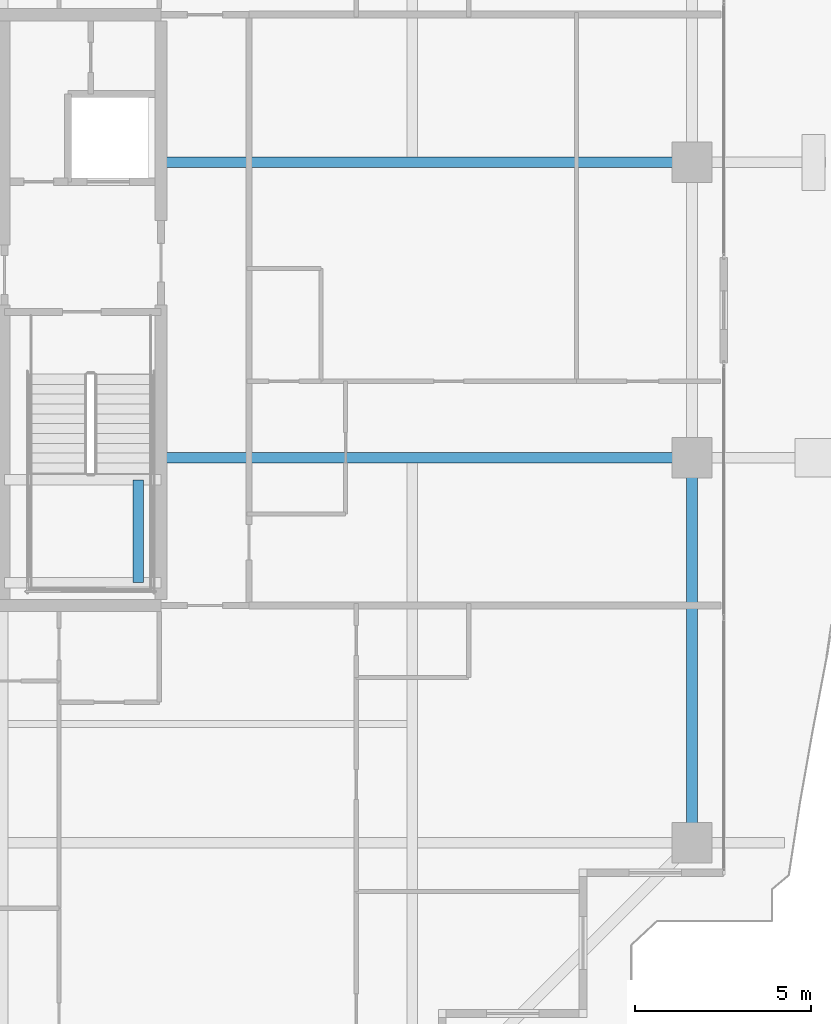
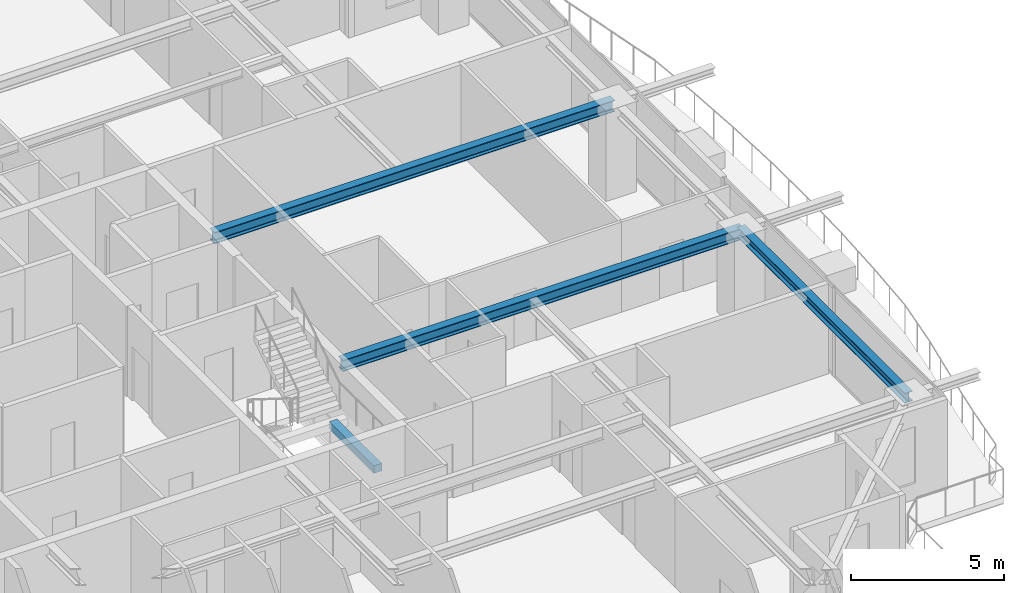
# One storey, part 14 of 37: 4 beams.
"""IFC4 building model written with IfcOpenShell, lengths in metres."""

import ifcopenshell
import ifcopenshell.guid

model = None  # the IFC model being written
_history = None  # IfcOwnerHistory: only IFC2X3 demands one
_inside = {}  # id of a spatial element -> (the spatial element, [elements in it])
_under = {}  # id of a project, library or spatial element -> (it, [spatial elements below it])
_declared = {}  # id of a project -> (the project, [libraries it declares])
_typed = {}  # id of a type object -> (the type object, [elements of that type])
_made_of = {}  # id of a material, layer set ... -> (it, [elements and type objects made of it])


def new_model(schema):
    """Start an empty IFC model of exactly this schema.

    Asked for "IFC4X3", IfcOpenShell would pick the latest addendum, in which some entities
    have other attributes; the version numbers below select the first issue.
    IFC2X3 requires an IfcOwnerHistory on every rooted entity: one is made here for all.
    """
    global model, _history
    if schema == "IFC4X3":
        model = ifcopenshell.file(schema_version=(4, 3, 0, 0))
    else:
        model = ifcopenshell.file(schema=schema)
    _inside.clear()
    _under.clear()
    _declared.clear()
    _typed.clear()
    _made_of.clear()
    _history = None
    if model.schema == "IFC2X3":
        org = make("IfcOrganization", Name="unknown")
        user = make(
            "IfcPersonAndOrganization",
            ThePerson=make("IfcPerson", FamilyName="unknown"),
            TheOrganization=org,
        )
        app = make(
            "IfcApplication",
            ApplicationDeveloper=org,
            Version="unknown",
            ApplicationFullName="unknown",
            ApplicationIdentifier="unknown",
        )
        _history = make(
            "IfcOwnerHistory",
            OwningUser=user,
            OwningApplication=app,
            ChangeAction="ADDED",
            CreationDate=0,
        )
    return model


def make(cls, **values):
    """One entity of the class cls with the attributes given. An attribute that is None is left unset."""
    return model.create_entity(
        cls, **{name: value for name, value in values.items() if value is not None}
    )


def rooted(cls, **values):
    """An entity with a GlobalId (a new one), such as an element, a storey or a relation."""
    return make(cls, GlobalId=ifcopenshell.guid.new(), OwnerHistory=_history, **values)


def si_unit(unit_type, name, prefix=None):
    """IfcSIUnit, for example si_unit("LENGTHUNIT", "METRE", prefix="MILLI")."""
    return make("IfcSIUnit", UnitType=unit_type, Prefix=prefix, Name=name)


def assignment(units):
    """IfcUnitAssignment: the units of a project."""
    return None if units is None else make("IfcUnitAssignment", Units=units)


def point(xyz):
    """IfcCartesianPoint."""
    return None if xyz is None else make("IfcCartesianPoint", Coordinates=xyz)


def direction(xyz):
    """IfcDirection."""
    return None if xyz is None else make("IfcDirection", DirectionRatios=xyz)


def frame(location, z_axis=None, x_axis=None):
    """IfcAxis2Placement3D, a coordinate frame: its origin and axes. An axis left out is left unset."""
    return make(
        "IfcAxis2Placement3D",
        Location=point(location),
        Axis=direction(z_axis),
        RefDirection=direction(x_axis),
    )


def frame_2d(location, x_axis=None):
    """IfcAxis2Placement2D, a coordinate frame in the plane: its origin and x axis."""
    return make(
        "IfcAxis2Placement2D", Location=point(location), RefDirection=direction(x_axis)
    )


def origin():
    """The frame at (0, 0, 0) with its axes left unset."""
    return frame((0.0, 0.0, 0.0))


def origin_2d():
    """The frame at (0, 0) in the plane with its x axis left unset."""
    return frame_2d((0.0, 0.0))


def place(relative_to, where):
    """IfcLocalPlacement: puts the frame where relative to a parent placement (None: the world)."""
    return make(
        "IfcLocalPlacement", PlacementRelTo=relative_to, RelativePlacement=where
    )


def context(
    kind, dimensions, precision=None, world=None, true_north=None, identifier=None
):
    """IfcGeometricRepresentationContext, for example the 3D "Model" context."""
    return make(
        "IfcGeometricRepresentationContext",
        ContextIdentifier=identifier,
        ContextType=kind,
        CoordinateSpaceDimension=dimensions,
        Precision=precision,
        WorldCoordinateSystem=world,
        TrueNorth=true_north,
    )


def subcontext(parent, identifier, kind, view, scale=None):
    """IfcGeometricRepresentationSubContext, for example "Body" below "Model"."""
    return make(
        "IfcGeometricRepresentationSubContext",
        ContextIdentifier=identifier,
        ContextType=kind,
        ParentContext=parent,
        TargetScale=scale,
        TargetView=view,
    )


def project(units=None, contexts=None):
    """IfcProject with its units and contexts."""
    return rooted(
        "IfcProject",
        Name="project",
        RepresentationContexts=contexts,
        UnitsInContext=assignment(units),
    )


def spatial(cls, under=None, at=None, **own):
    """A site, building, storey or space (cls), placed at a placement, below another one or the project."""
    s = rooted(cls, ObjectPlacement=at, **own)
    if under is not None:
        _under.setdefault(under.id(), (under, []))[1].append(s)
    return s


def profile(cls, at=None, kind="AREA", **sizes):
    """A parametric profile (cls). Its sizes go by their IFC names, for example OverallWidth=200.0."""
    return make(cls, ProfileType=kind, Position=at, **sizes)


def rectangle(**sizes):
    """IfcRectangleProfileDef."""
    return profile("IfcRectangleProfileDef", **sizes)


def i_section(**sizes):
    """IfcIShapeProfileDef."""
    return profile("IfcIShapeProfileDef", **sizes)


def extrude(swept, where, along, depth):
    """IfcExtrudedAreaSolid: the profile swept, set in the frame where, extruded along a direction by depth."""
    return make(
        "IfcExtrudedAreaSolid",
        SweptArea=swept,
        Position=where,
        ExtrudedDirection=direction(along),
        Depth=depth,
    )


def shape(context_of_items, identifier, shape_type, items):
    """IfcShapeRepresentation: the items that make up one representation, for example the "Body"."""
    return make(
        "IfcShapeRepresentation",
        ContextOfItems=context_of_items,
        RepresentationIdentifier=identifier,
        RepresentationType=shape_type,
        Items=items,
    )


def source(mapping_origin, context_of_items, identifier, shape_type, items):
    """IfcRepresentationMap: a shape defined once, which mapped items show again and again."""
    return make(
        "IfcRepresentationMap",
        MappingOrigin=mapping_origin,
        MappedRepresentation=shape(context_of_items, identifier, shape_type, items),
    )


def transform(
    local_origin,
    x_axis=None,
    y_axis=None,
    z_axis=None,
    scale=None,
    scale2=None,
    scale3=None,
    uniform=True,
):
    """IfcCartesianTransformationOperator3D, or its non-uniform kind. x_axis, y_axis, z_axis: its Axis1, 2, 3."""
    if uniform:
        return make(
            "IfcCartesianTransformationOperator3D",
            Axis1=direction(x_axis),
            Axis2=direction(y_axis),
            LocalOrigin=point(local_origin),
            Scale=scale,
            Axis3=direction(z_axis),
        )
    return make(
        "IfcCartesianTransformationOperator3DnonUniform",
        Axis1=direction(x_axis),
        Axis2=direction(y_axis),
        LocalOrigin=point(local_origin),
        Scale=scale,
        Axis3=direction(z_axis),
        Scale2=scale2,
        Scale3=scale3,
    )


def mapped(mapping_source, mapping_target):
    """IfcMappedItem: shows the shape of a source again, moved by a transform."""
    return make(
        "IfcMappedItem", MappingSource=mapping_source, MappingTarget=mapping_target
    )


def material(Name=None, Category=None):
    """IfcMaterial."""
    return make("IfcMaterial", Name=Name, Category=Category)


def material_profile(
    of_material, cross_section, Name=None, Category=None, Priority=None
):
    """IfcMaterialProfile: a cross section and its material."""
    return make(
        "IfcMaterialProfile",
        Name=Name,
        Material=of_material,
        Profile=cross_section,
        Priority=Priority,
        Category=Category,
    )


def profile_set(profiles, Name=None, composite=None):
    """IfcMaterialProfileSet."""
    return make(
        "IfcMaterialProfileSet",
        Name=Name,
        MaterialProfiles=profiles,
        CompositeProfile=composite,
    )


def made_of(thing, what):
    """Note that an element or type object is made of a material, layer set ...; save() writes the relation."""
    if what is not None:
        _made_of.setdefault(what.id(), (what, []))[1].append(thing)
    return thing


def type_object(cls, material=None, **own):
    """A type object (cls), such as IfcWallType, which elements share."""
    return made_of(rooted(cls, **own), material)


def element(
    cls,
    number,
    at=None,
    inside=None,
    cuts=None,
    type_object=None,
    material=None,
    context=None,
    identifier="Body",
    shape_type=None,
    held_by="IfcProductDefinitionShape",
    body=None,
    shapes=None,
    **own,
):
    """One element of the class cls, such as IfcWall. Its Tag is "e" and its number.

    at: its placement. inside: the storey or other place that contains it. cuts: it is an
    opening in that element (IfcRelVoidsElement). A single representation is given by context,
    identifier, shape_type and body (its items); several are given by shapes. held_by: the class
    of the entity that holds the representations. save() writes the other relations.
    """
    e = rooted(cls, Tag="e%d" % number, ObjectPlacement=at, **own)
    if body is not None:
        shapes = [shape(context, identifier, shape_type, body)]
    if shapes is not None:
        e.Representation = make(held_by, Representations=shapes)
    if inside is not None:
        _inside.setdefault(inside.id(), (inside, []))[1].append(e)
    if cuts is not None:
        rooted(
            "IfcRelVoidsElement", RelatingBuildingElement=cuts, RelatedOpeningElement=e
        )
    if type_object is not None:
        _typed.setdefault(type_object.id(), (type_object, []))[1].append(e)
    return made_of(e, material)


def aggregate(whole, parts):
    """IfcRelAggregates: a whole, such as a stair, and the parts it consists of."""
    return rooted("IfcRelAggregates", RelatingObject=whole, RelatedObjects=parts)


def save(model, path):
    """Write the relations noted so far, then the file.

    IfcRelAggregates (storeys below a building ...), IfcRelContainedInSpatialStructure (elements
    in a storey), IfcRelDefinesByType, IfcRelAssociatesMaterial and IfcRelDeclares: one each for
    every whole, place, type object, material and project.
    """
    for whole, parts in _under.values():
        aggregate(whole, parts)
    for where, things in _inside.values():
        rooted(
            "IfcRelContainedInSpatialStructure",
            RelatedElements=things,
            RelatingStructure=where,
        )
    for kind, things in _typed.values():
        rooted("IfcRelDefinesByType", RelatedObjects=things, RelatingType=kind)
    for what, things in _made_of.values():
        rooted("IfcRelAssociatesMaterial", RelatedObjects=things, RelatingMaterial=what)
    for by, libraries in _declared.values():
        rooted("IfcRelDeclares", RelatingContext=by, RelatedDefinitions=libraries)
    model.write(path)


model = new_model("IFC4")

# Units and contexts
model_context = context("Model", 3, precision=1e-05, world=origin(), true_north=direction((0.0, 1.0)))
body_context = subcontext(model_context, "Body", "Model", "MODEL_VIEW")
ifc_project = project(units=[si_unit("LENGTHUNIT", "METRE"), si_unit("AREAUNIT", "SQUARE_METRE"), si_unit("VOLUMEUNIT", "CUBIC_METRE"), si_unit("PLANEANGLEUNIT", "RADIAN"), si_unit("MASSUNIT", "GRAM", prefix="KILO")], contexts=[model_context])

# Site, building, storey
site_placement = place(None, origin())
site = spatial("IfcSite", under=ifc_project, at=site_placement, CompositionType="ELEMENT")
building_placement = place(site_placement, origin())
building = spatial("IfcBuilding", under=site, at=building_placement, Name="Serunith Strait Residences", CompositionType="ELEMENT")
storey_placement = place(building_placement, frame((0.0, 0.0, 275.89990234375)))
storey = spatial("IfcBuildingStorey", under=building, at=storey_placement, Name="L69", CompositionType="ELEMENT", Elevation=275.89990234375)

# Beams
ifc_material_1 = material(Name="Steel S355J2", Category="steel")
ifc_material_profile_1 = material_profile(ifc_material_1, i_section(OverallWidth=0.300048828125, OverallDepth=0.449951171875, WebThickness=0.013916015625, FlangeThickness=0.02587890625, FilletRadius=0.027099609375, at=origin_2d()), Name="HEB 450")
ifc_profile_set_1 = profile_set([ifc_material_profile_1], Name="Steel S355J2")
beam_type_1 = type_object("IfcBeamType", Name="BM-HEB450", PredefinedType="BEAM", material=ifc_profile_set_1)
shared_shape_1 = source(origin(), body_context, "Body", "SweptSolid", [
    extrude(i_section(OverallWidth=0.300048828125, OverallDepth=0.449951171875, WebThickness=0.013916015625, FlangeThickness=0.02587890625, FilletRadius=0.027099609375, at=origin_2d()), origin(), (0.0, 0.0, 1.0), 15.10009765625),
])
for number, where, z_axis, x_axis, name in (
    (1, (41.39990234375, 21.0, 3.362060546875), (1.0, 0.0, 0.0), (0.0, 1.0, 0.0), "L69 Primary Floor Girder TC-E2"),
    (2, (41.39990234375, 29.39990234375, 3.362060546875), (1.0, 0.0, 0.0), (0.0, 1.0, 0.0), "L69 Primary Floor Girder TC-E3"),
):
    element("IfcBeam", number, at=place(storey_placement, frame(where, z_axis=z_axis, x_axis=x_axis)), inside=storey, type_object=beam_type_1, Name=name, PredefinedType="BEAM", context=body_context, shape_type="MappedRepresentation", body=[
        mapped(shared_shape_1, transform((0.0, 0.0, 0.0), scale=1.0)),
    ])
ifc_material_profile_2 = material_profile(ifc_material_1, i_section(OverallWidth=0.300048828125, OverallDepth=0.39990234375, WebThickness=0.013427734375, FlangeThickness=0.02392578125, FilletRadius=0.027099609375, at=origin_2d()), Name="HEB 400")
ifc_profile_set_2 = profile_set([ifc_material_profile_2], Name="Steel S355J2")
beam_type_2 = type_object("IfcBeamType", Name="BM-HEB400", PredefinedType="BEAM", material=ifc_profile_set_2)
shared_shape_2 = source(origin(), body_context, "Body", "SweptSolid", [
    extrude(i_section(OverallWidth=0.300048828125, OverallDepth=0.39990234375, WebThickness=0.013427734375, FlangeThickness=0.02392578125, FilletRadius=0.027099609375, at=origin_2d()), origin(), (0.0, 0.0, 1.0), 10.949951171875),
])
beam_1_placement = place(storey_placement, frame((56.5, 10.050048828125, 3.38720703125), z_axis=(0.0, 1.0, 0.0), x_axis=(-1.0, 0.0, 0.0)))
element("IfcBeam", 3, at=beam_1_placement, inside=storey, type_object=beam_type_2, Name="L69 Perimeter Ring Beam 05", PredefinedType="BEAM", context=body_context, shape_type="MappedRepresentation", body=[
    mapped(shared_shape_2, transform((0.0, 0.0, 0.0), scale=1.0)),
])
ifc_material_2 = material(Name="Concrete C60/75", Category="concrete")
ifc_material_profile_3 = material_profile(ifc_material_2, rectangle(XDim=0.300048828125, YDim=0.300048828125, at=origin_2d()), Name="RC 300x300")
ifc_profile_set_3 = profile_set([ifc_material_profile_3], Name="Concrete C60/75")
beam_type_3 = type_object("IfcBeamType", Name="BM-LAND-300x300", PredefinedType="BEAM", material=ifc_profile_set_3)
shared_shape_3 = source(origin(), body_context, "Body", "SweptSolid", [
    extrude(rectangle(XDim=0.300048828125, YDim=0.300048828125, at=origin_2d()), origin(), (0.0, 0.0, 1.0), 2.920166015625),
])
beam_2_placement = place(storey_placement, frame((40.75, 17.449951171875, 1.5751953125), z_axis=(0.0, 1.0, 0.0), x_axis=(-1.0, 0.0, 0.0)))
element("IfcBeam", 4, at=beam_2_placement, inside=storey, type_object=beam_type_3, Name="L69 ST-2 Landing Transverse Tie Beam", PredefinedType="BEAM", context=body_context, shape_type="MappedRepresentation", body=[
    mapped(shared_shape_3, transform((0.0, 0.0, 0.0), scale=1.0)),
])

save(model, "model.ifc")
